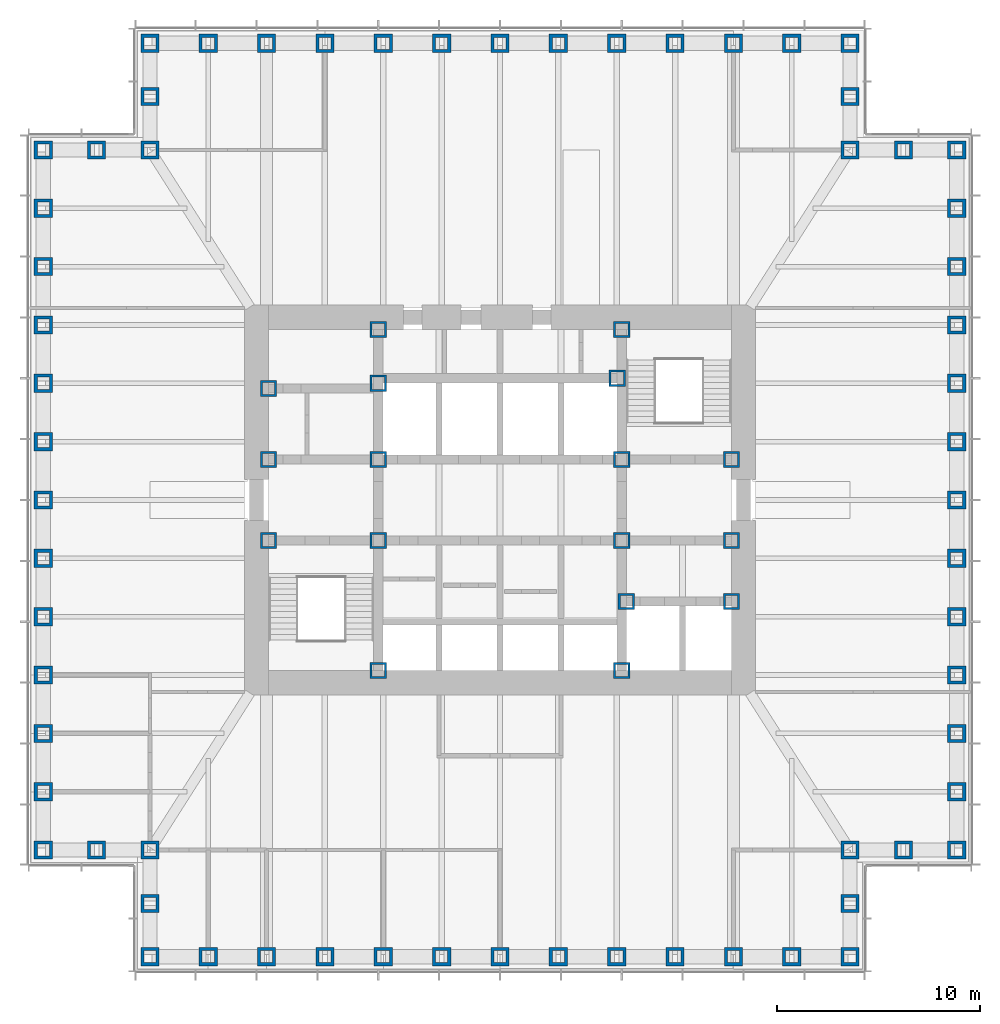
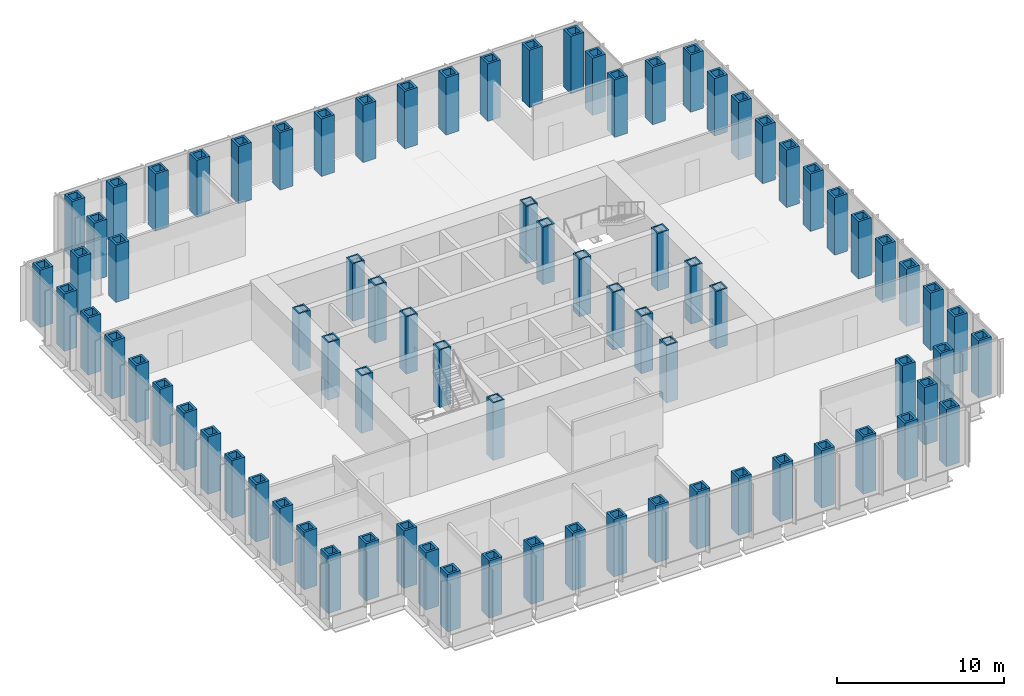
# One storey, part 1 of 16: 81 columns.
"""IFC4 building model written with IfcOpenShell, lengths in metres."""

from ifc_helpers import new_model, si_unit, direction, frame, origin, origin_2d, place, context, subcontext, project, spatial, hollow_rectangle, extrude, material, material_profile, profile_set, type_object, element, save


model = new_model("IFC4")

# Units and contexts
model_context = context("Model", 3, precision=1e-05, world=origin(), true_north=direction((0.0, 1.0)))
body_context = subcontext(model_context, "Body", "Model", "MODEL_VIEW")
ifc_project = project(units=[si_unit("LENGTHUNIT", "METRE"), si_unit("AREAUNIT", "SQUARE_METRE"), si_unit("VOLUMEUNIT", "CUBIC_METRE"), si_unit("PLANEANGLEUNIT", "RADIAN"), si_unit("MASSUNIT", "GRAM", prefix="KILO")], contexts=[model_context])

# Site, building, storey
site_placement = place(None, origin())
site = spatial("IfcSite", under=ifc_project, at=site_placement, CompositionType="ELEMENT")
building_placement = place(site_placement, origin())
building = spatial("IfcBuilding", under=site, at=building_placement, Name="Daluyong Arena Tower", CompositionType="ELEMENT")
storey_placement = place(building_placement, frame((0.0, 0.0, 120.699951171875)))
storey = spatial("IfcBuildingStorey", under=building, at=storey_placement, Name="L26", CompositionType="ELEMENT", Elevation=120.699951171875)

# Columns
ifc_material_1 = material(Name="Steel ASTM A572 Grade 50", Category="steel")
ifc_material_profile_1 = material_profile(ifc_material_1, hollow_rectangle(XDim=0.800048828125, YDim=0.800048828125, WallThickness=0.1, at=origin_2d()))
ifc_profile_set_1 = profile_set([ifc_material_profile_1], Name="Steel ASTM A572 Grade 50")
column_type_1 = type_object("IfcColumnType", Name="Core boundary column BX800X100", PredefinedType="COLUMN", material=ifc_profile_set_1)
for number, where, z_axis, x_axis, name in (
    (1, (44.60009765625, 78.0, 0.0), (0.0, 0.0, 1.0), (1.0, 0.0, 0.0), "core boundary column BC2"),
    (2, (44.60009765625, 82.0, 0.0), (0.0, 0.0, 1.0), (1.0, 0.0, 0.0), "core boundary column BC2"),
    (3, (44.60009765625, 85.5, 0.0), (0.0, 0.0, 1.0), (1.0, 0.0, 0.0), "core boundary column BC2"),
    (4, (50.0, 71.60009765625, 0.0), (0.0, 0.0, 1.0), (1.0, 0.0, 0.0), "core boundary column BC2"),
    (5, (50.0, 78.0, 0.0), (0.0, 0.0, 1.0), (1.0, 0.0, 0.0), "core boundary column BC2"),
    (6, (50.0, 82.0, 0.0), (0.0, 0.0, 1.0), (1.0, 0.0, 0.0), "core boundary column BC2"),
    (7, (50.0, 85.75, 0.0), (0.0, 0.0, 1.0), (1.0, 0.0, 0.0), "core boundary column BC2"),
    (8, (50.0, 88.39990234375, 0.0), (0.0, 0.0, 1.0), (1.0, 0.0, 0.0), "core boundary column BC2"),
    (9, (61.77490234375, 86.0, 0.0), (0.0, 0.0, 1.0), (1.0, 0.0, 0.0), "core boundary column BC2"),
    (10, (62.0, 71.60009765625, 0.0), (0.0, 0.0, 1.0), (1.0, 0.0, 0.0), "core boundary column BC2"),
    (11, (62.0, 78.0, 0.0), (0.0, 0.0, 1.0), (1.0, 0.0, 0.0), "core boundary column BC2"),
    (12, (62.0, 82.0, 0.0), (0.0, 0.0, 1.0), (1.0, 0.0, 0.0), "core boundary column BC2"),
    (13, (62.0, 88.39990234375, 0.0), (0.0, 0.0, 1.0), (1.0, 0.0, 0.0), "core boundary column BC2"),
    (14, (62.22509765625, 75.0, 0.0), (0.0, 0.0, 1.0), (1.0, 0.0, 0.0), "core boundary column BC2"),
    (15, (67.39990234375, 75.0, 0.0), (0.0, 0.0, 1.0), (1.0, 0.0, 0.0), "core boundary column BC2"),
    (16, (67.39990234375, 78.0, 0.0), (0.0, 0.0, 1.0), (1.0, 0.0, 0.0), "core boundary column BC2"),
    (17, (67.39990234375, 82.0, 0.0), (0.0, 0.0, 1.0), (1.0, 0.0, 0.0), "core boundary column BC2"),
):
    element("IfcColumn", number, at=place(storey_placement, frame(where, z_axis=z_axis, x_axis=x_axis)), inside=storey, type_object=column_type_1, Name=name, PredefinedType="COLUMN", context=body_context, shape_type="SweptSolid", body=[
        extrude(hollow_rectangle(XDim=0.800048828125, YDim=0.800048828125, WallThickness=0.1, at=origin_2d()), origin(), (0.0, 0.0, 1.0), 4.199951171875),
    ])
ifc_material_2 = material(Name="Steel ASTM A588 Grade 50", Category="steel")
ifc_material_profile_2 = material_profile(ifc_material_2, hollow_rectangle(XDim=0.89990234375, YDim=0.89990234375, WallThickness=0.15, at=origin_2d()))
ifc_profile_set_2 = profile_set([ifc_material_profile_2], Name="Steel ASTM A588 Grade 50")
column_type_2 = type_object("IfcColumnType", Name="Tube column BX900X150 BX900X150", PredefinedType="COLUMN", material=ifc_profile_set_2)
for number, where, z_axis, x_axis, name in (
    (18, (38.75, 57.5, 0.0), (0.0, 0.0, 1.0), (1.0, 0.0, 0.0), "tube column bx900x150 TC5"),
    (19, (41.625, 57.5, 0.0), (0.0, 0.0, 1.0), (1.0, 0.0, 0.0), "tube column bx900x150 TC5"),
    (20, (44.5, 57.5, 0.0), (0.0, 0.0, 1.0), (1.0, 0.0, 0.0), "tube column bx900x150 TC5"),
    (21, (47.375, 57.5, 0.0), (0.0, 0.0, 1.0), (1.0, 0.0, 0.0), "tube column bx900x150 TC5"),
    (22, (50.25, 57.5, 0.0), (0.0, 0.0, 1.0), (1.0, 0.0, 0.0), "tube column bx900x150 TC5"),
    (23, (53.125, 57.5, 0.0), (0.0, 0.0, 1.0), (1.0, 0.0, 0.0), "tube column bx900x150 TC5"),
    (24, (56.0, 57.5, 0.0), (0.0, 0.0, 1.0), (1.0, 0.0, 0.0), "tube column bx900x150 TC5"),
    (25, (58.875, 57.5, 0.0), (0.0, 0.0, 1.0), (1.0, 0.0, 0.0), "tube column bx900x150 TC5"),
    (26, (61.75, 57.5, 0.0), (0.0, 0.0, 1.0), (1.0, 0.0, 0.0), "tube column bx900x150 TC5"),
    (27, (64.625, 57.5, 0.0), (0.0, 0.0, 1.0), (1.0, 0.0, 0.0), "tube column bx900x150 TC5"),
    (28, (67.5, 57.5, 0.0), (0.0, 0.0, 1.0), (1.0, 0.0, 0.0), "tube column bx900x150 TC5"),
    (29, (70.375, 57.5, 0.0), (0.0, 0.0, 1.0), (1.0, 0.0, 0.0), "tube column bx900x150 TC5"),
    (30, (73.25, 57.5, 0.0), (0.0, 0.0, 1.0), (0.0, 1.0, 0.0), "tube column bx900x150 TC5"),
    (31, (73.25, 60.125, 0.0), (0.0, 0.0, 1.0), (0.0, 1.0, 0.0), "tube column bx900x150 TC5"),
    (32, (73.25, 62.75, 0.0), (0.0, 0.0, 1.0), (1.0, 0.0, 0.0), "tube column bx900x150 TC5"),
    (33, (75.875, 62.75, 0.0), (0.0, 0.0, 1.0), (1.0, 0.0, 0.0), "tube column bx900x150 TC5"),
    (34, (78.5, 62.75, 0.0), (0.0, 0.0, 1.0), (0.0, 1.0, 0.0), "tube column bx900x150 TC5"),
    (35, (78.5, 65.625, 0.0), (0.0, 0.0, 1.0), (0.0, 1.0, 0.0), "tube column bx900x150 TC5"),
    (36, (78.5, 68.5, 0.0), (0.0, 0.0, 1.0), (0.0, 1.0, 0.0), "tube column bx900x150 TC5"),
    (37, (78.5, 71.375, 0.0), (0.0, 0.0, 1.0), (0.0, 1.0, 0.0), "tube column bx900x150 TC5"),
    (38, (78.5, 74.25, 0.0), (0.0, 0.0, 1.0), (0.0, 1.0, 0.0), "tube column bx900x150 TC5"),
    (39, (78.5, 77.125, 0.0), (0.0, 0.0, 1.0), (0.0, 1.0, 0.0), "tube column bx900x150 TC5"),
    (40, (78.5, 80.0, 0.0), (0.0, 0.0, 1.0), (0.0, 1.0, 0.0), "tube column bx900x150 TC5"),
    (41, (78.5, 82.875, 0.0), (0.0, 0.0, 1.0), (0.0, 1.0, 0.0), "tube column bx900x150 TC5"),
    (42, (78.5, 85.75, 0.0), (0.0, 0.0, 1.0), (0.0, 1.0, 0.0), "tube column bx900x150 TC5"),
    (43, (78.5, 88.625, 0.0), (0.0, 0.0, 1.0), (0.0, 1.0, 0.0), "tube column bx900x150 TC5"),
    (44, (78.5, 91.5, 0.0), (0.0, 0.0, 1.0), (0.0, 1.0, 0.0), "tube column bx900x150 TC5"),
    (45, (78.5, 94.375, 0.0), (0.0, 0.0, 1.0), (0.0, 1.0, 0.0), "tube column bx900x150 TC5"),
    (46, (78.5, 97.25, 0.0), (0.0, 0.0, 1.0), (1.0, 0.0, 0.0), "tube column bx900x150 TC5"),
    (47, (75.875, 97.25, 0.0), (0.0, 0.0, 1.0), (1.0, 0.0, 0.0), "tube column bx900x150 TC5"),
    (48, (73.25, 97.25, 0.0), (0.0, 0.0, 1.0), (0.0, 1.0, 0.0), "tube column bx900x150 TC5"),
    (49, (73.25, 99.875, 0.0), (0.0, 0.0, 1.0), (0.0, 1.0, 0.0), "tube column bx900x150 TC5"),
    (50, (73.25, 102.5, 0.0), (0.0, 0.0, 1.0), (1.0, 0.0, 0.0), "tube column bx900x150 TC5"),
    (51, (70.375, 102.5, 0.0), (0.0, 0.0, 1.0), (1.0, 0.0, 0.0), "tube column bx900x150 TC5"),
    (52, (67.5, 102.5, 0.0), (0.0, 0.0, 1.0), (1.0, 0.0, 0.0), "tube column bx900x150 TC5"),
    (53, (64.625, 102.5, 0.0), (0.0, 0.0, 1.0), (1.0, 0.0, 0.0), "tube column bx900x150 TC5"),
    (54, (61.75, 102.5, 0.0), (0.0, 0.0, 1.0), (1.0, 0.0, 0.0), "tube column bx900x150 TC5"),
    (55, (58.875, 102.5, 0.0), (0.0, 0.0, 1.0), (1.0, 0.0, 0.0), "tube column bx900x150 TC5"),
    (56, (56.0, 102.5, 0.0), (0.0, 0.0, 1.0), (1.0, 0.0, 0.0), "tube column bx900x150 TC5"),
    (57, (53.125, 102.5, 0.0), (0.0, 0.0, 1.0), (1.0, 0.0, 0.0), "tube column bx900x150 TC5"),
    (58, (50.25, 102.5, 0.0), (0.0, 0.0, 1.0), (1.0, 0.0, 0.0), "tube column bx900x150 TC5"),
    (59, (47.375, 102.5, 0.0), (0.0, 0.0, 1.0), (1.0, 0.0, 0.0), "tube column bx900x150 TC5"),
    (60, (44.5, 102.5, 0.0), (0.0, 0.0, 1.0), (1.0, 0.0, 0.0), "tube column bx900x150 TC5"),
    (61, (41.625, 102.5, 0.0), (0.0, 0.0, 1.0), (1.0, 0.0, 0.0), "tube column bx900x150 TC5"),
    (62, (38.75, 102.5, 0.0), (0.0, 0.0, 1.0), (0.0, 1.0, 0.0), "tube column bx900x150 TC5"),
    (63, (38.75, 99.875, 0.0), (0.0, 0.0, 1.0), (0.0, 1.0, 0.0), "tube column bx900x150 TC5"),
    (64, (38.75, 97.25, 0.0), (0.0, 0.0, 1.0), (1.0, 0.0, 0.0), "tube column bx900x150 TC5"),
    (65, (36.125, 97.25, 0.0), (0.0, 0.0, 1.0), (1.0, 0.0, 0.0), "tube column bx900x150 TC5"),
    (66, (33.5, 97.25, 0.0), (0.0, 0.0, 1.0), (0.0, 1.0, 0.0), "tube column bx900x150 TC5"),
    (67, (33.5, 94.375, 0.0), (0.0, 0.0, 1.0), (0.0, 1.0, 0.0), "tube column bx900x150 TC5"),
    (68, (33.5, 91.5, 0.0), (0.0, 0.0, 1.0), (0.0, 1.0, 0.0), "tube column bx900x150 TC5"),
    (69, (33.5, 88.625, 0.0), (0.0, 0.0, 1.0), (0.0, 1.0, 0.0), "tube column bx900x150 TC5"),
    (70, (33.5, 85.75, 0.0), (0.0, 0.0, 1.0), (0.0, 1.0, 0.0), "tube column bx900x150 TC5"),
    (71, (33.5, 82.875, 0.0), (0.0, 0.0, 1.0), (0.0, 1.0, 0.0), "tube column bx900x150 TC5"),
    (72, (33.5, 80.0, 0.0), (0.0, 0.0, 1.0), (0.0, 1.0, 0.0), "tube column bx900x150 TC5"),
    (73, (33.5, 77.125, 0.0), (0.0, 0.0, 1.0), (0.0, 1.0, 0.0), "tube column bx900x150 TC5"),
    (74, (33.5, 74.25, 0.0), (0.0, 0.0, 1.0), (0.0, 1.0, 0.0), "tube column bx900x150 TC5"),
    (75, (33.5, 71.375, 0.0), (0.0, 0.0, 1.0), (0.0, 1.0, 0.0), "tube column bx900x150 TC5"),
    (76, (33.5, 68.5, 0.0), (0.0, 0.0, 1.0), (0.0, 1.0, 0.0), "tube column bx900x150 TC5"),
    (77, (33.5, 65.625, 0.0), (0.0, 0.0, 1.0), (0.0, 1.0, 0.0), "tube column bx900x150 TC5"),
    (78, (33.5, 62.75, 0.0), (0.0, 0.0, 1.0), (1.0, 0.0, 0.0), "tube column bx900x150 TC5"),
    (79, (36.125, 62.75, 0.0), (0.0, 0.0, 1.0), (1.0, 0.0, 0.0), "tube column bx900x150 TC5"),
    (80, (38.75, 62.75, 0.0), (0.0, 0.0, 1.0), (0.0, 1.0, 0.0), "tube column bx900x150 TC5"),
    (81, (38.75, 60.125, 0.0), (0.0, 0.0, 1.0), (0.0, 1.0, 0.0), "tube column bx900x150 TC5"),
):
    element("IfcColumn", number, at=place(storey_placement, frame(where, z_axis=z_axis, x_axis=x_axis)), inside=storey, type_object=column_type_2, Name=name, PredefinedType="COLUMN", context=body_context, shape_type="SweptSolid", body=[
        extrude(hollow_rectangle(XDim=0.89990234375, YDim=0.89990234375, WallThickness=0.15, at=origin_2d()), origin(), (0.0, 0.0, 1.0), 4.199951171875),
    ])

save(model, "model.ifc")
